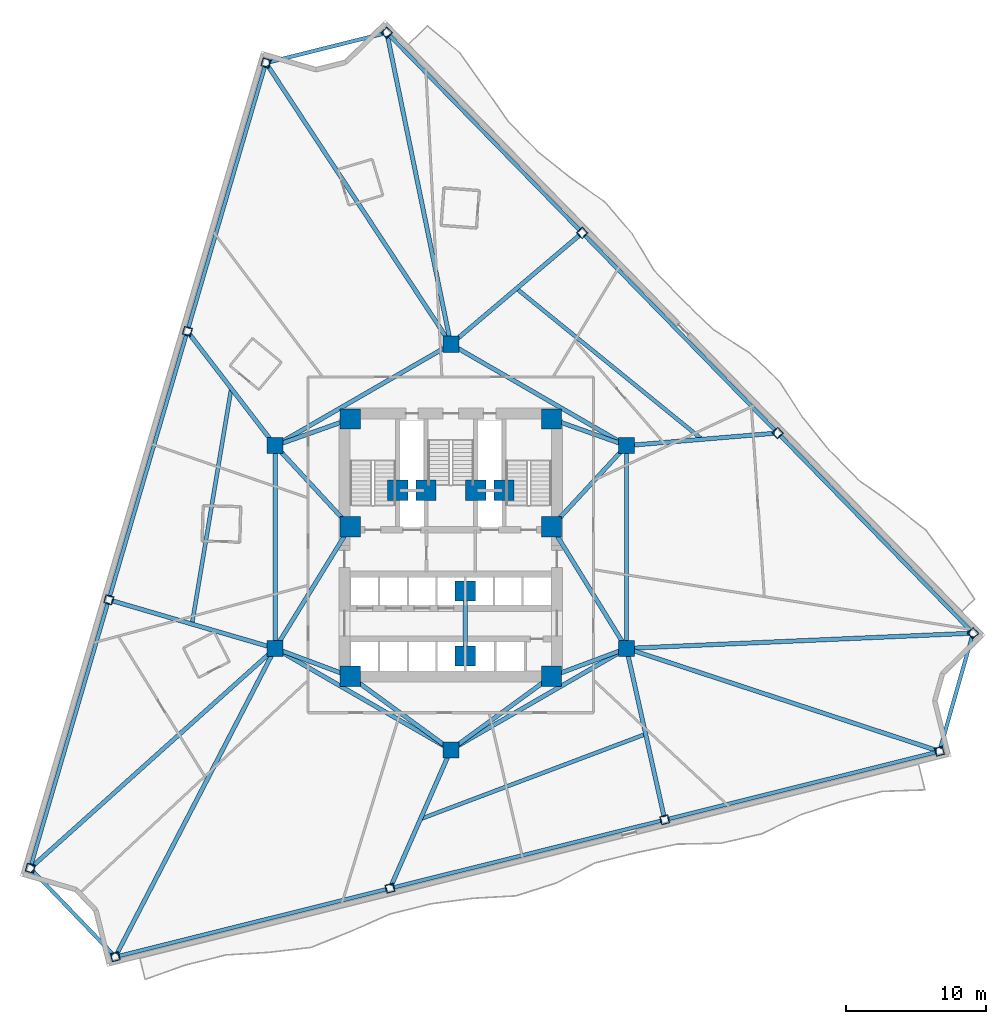
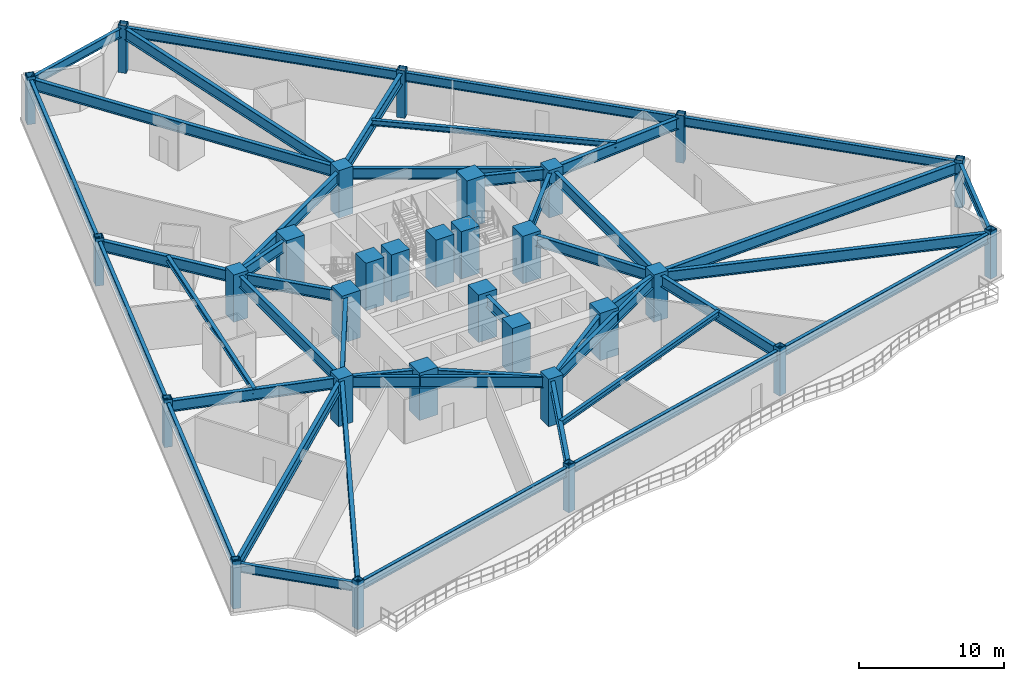
# One storey, part 1 of 9: 44 beams, 30 columns.
"""IFC4 building model written with IfcOpenShell, lengths in metres."""

from ifc_helpers import new_model, si_unit, direction, frame, origin, origin_2d, place, context, subcontext, project, spatial, rectangle, hollow_rectangle, i_section, extrude, material, material_profile, profile_set, type_object, element, save


model = new_model("IFC4")

# Units and contexts
model_context = context("Model", 3, precision=1e-05, world=origin(), true_north=direction((0.0, 1.0)))
body_context = subcontext(model_context, "Body", "Model", "MODEL_VIEW")
ifc_project = project(units=[si_unit("LENGTHUNIT", "METRE"), si_unit("AREAUNIT", "SQUARE_METRE"), si_unit("VOLUMEUNIT", "CUBIC_METRE"), si_unit("PLANEANGLEUNIT", "RADIAN"), si_unit("MASSUNIT", "GRAM", prefix="KILO")], contexts=[model_context])

# Site, building, storey
site_placement = place(None, origin())
site = spatial("IfcSite", under=ifc_project, at=site_placement, CompositionType="ELEMENT")
building_placement = place(site_placement, origin())
building = spatial("IfcBuilding", under=site, at=building_placement, Name="Apsidion Concourse Tower", CompositionType="ELEMENT")
storey_placement = place(building_placement, frame((0.0, 0.0, 111.0)))
storey = spatial("IfcBuildingStorey", under=building, at=storey_placement, Name="L25", CompositionType="ELEMENT", Elevation=111.0)

# Columns
ifc_material_1 = material(Name="Structural steel ASTM A572 Grade 50", Category="steel")
ifc_material_profile_1 = material_profile(ifc_material_1, hollow_rectangle(XDim=0.60009765625, YDim=0.60009765625, WallThickness=0.0400390625, at=origin_2d()), Name="BOX600X600X40")
ifc_profile_set_1 = profile_set([ifc_material_profile_1], Name="Structural steel ASTM A572 Grade 50")
column_type_1 = type_object("IfcColumnType", Name="COL-BOX-600", PredefinedType="COLUMN", material=ifc_profile_set_1)
for number, where, z_axis, x_axis, name in (
    (1, (-13.221435546875, 34.61669921875, 0.0), (0.0, 0.0, 1.0), (0.28083422227, 0.959756291775, 0.0), "L25 Rotated Perimeter Column PC01"),
    (2, (-18.839111328125, 15.422119140625, 0.0), (0.0, 0.0, 1.0), (0.28083422227, 0.959756291775, 0.0), "L25 Rotated Perimeter Column PC02"),
    (3, (-24.45703125, -3.772705078125, 0.0), (0.0, 0.0, 1.0), (0.28083422227, 0.959756291775, 0.0), "L25 Rotated Perimeter Column PC03"),
    (4, (-30.074951171875, -22.96728515625, 0.0), (0.0, 0.0, 1.0), (0.28083422227, 0.959756291775, 0.0), "L25 Rotated Perimeter Column PC04"),
    (5, (-23.9912109375, -29.302001953125, 0.0), (0.0, 0.0, 1.0), (0.970295726276, 0.2419218956, 0.0), "L25 Rotated Perimeter Column PC05"),
    (6, (-4.34765625, -24.404296875, 0.0), (0.0, 0.0, 1.0), (0.970295726276, 0.2419218956, 0.0), "L25 Rotated Perimeter Column PC06"),
    (7, (15.2958984375, -19.506591796875, 0.0), (0.0, 0.0, 1.0), (0.970295726276, 0.2419218956, 0.0), "L25 Rotated Perimeter Column PC07"),
    (8, (34.939208984375, -14.60888671875, 0.0), (0.0, 0.0, 1.0), (0.970295726276, 0.2419218956, 0.0), "L25 Rotated Perimeter Column PC08"),
    (9, (37.337158203125, -6.15966796875, 0.0), (0.0, 0.0, 1.0), (-0.698540186739, 0.715570826341, 0.0), "L25 Rotated Perimeter Column PC09"),
    (10, (23.365478515625, 8.15087890625, 0.0), (0.0, 0.0, 1.0), (-0.698540186739, 0.715570826341, 0.0), "L25 Rotated Perimeter Column PC10"),
    (11, (9.393798828125, 22.461181640625, 0.0), (0.0, 0.0, 1.0), (-0.698540186739, 0.715570826341, 0.0), "L25 Rotated Perimeter Column PC11"),
    (12, (-4.57763671875, 36.771728515625, 0.0), (0.0, 0.0, 1.0), (-0.698540186739, 0.715570826341, 0.0), "L25 Rotated Perimeter Column PC12"),
):
    element("IfcColumn", number, at=place(storey_placement, frame(where, z_axis=z_axis, x_axis=x_axis)), inside=storey, type_object=column_type_1, Name=name, PredefinedType="COLUMN", context=body_context, shape_type="SweptSolid", body=[
        extrude(hollow_rectangle(XDim=0.60009765625, YDim=0.60009765625, WallThickness=0.0400390625, at=origin_2d()), origin(), (0.0, 0.0, 1.0), 4.0),
    ])
ifc_material_2 = material(Name="Concrete C50/60", Category="concrete")
ifc_material_profile_2 = material_profile(ifc_material_2, rectangle(XDim=1.14990234375, YDim=1.14990234375, at=origin_2d()), Name="RC 1150x1150")
ifc_profile_set_2 = profile_set([ifc_material_profile_2], Name="Concrete C50/60")
column_type_2 = type_object("IfcColumnType", Name="COL-RC-1150", PredefinedType="COLUMN", material=ifc_profile_set_2)
for number, where, z_axis, x_axis, name in (
    (13, (-12.56005859375, -7.25, 0.0), (0.0, 0.0, 1.0), (1.0, 0.0, 0.0), "L25 Interior Spine Column IC1"),
    (14, (12.56005859375, -7.25, 0.0), (0.0, 0.0, 1.0), (1.0, 0.0, 0.0), "L25 Interior Spine Column IC2"),
    (15, (12.56005859375, 7.25, 0.0), (0.0, 0.0, 1.0), (1.0, 0.0, 0.0), "L25 Interior Spine Column IC3"),
    (16, (0.0, 14.5, 0.0), (0.0, 0.0, 1.0), (1.0, 0.0, 0.0), "L25 Interior Spine Column IC4"),
    (17, (-12.56005859375, 7.25, 0.0), (0.0, 0.0, 1.0), (1.0, 0.0, 0.0), "L25 Interior Spine Column IC5"),
    (18, (0.0, -14.5, 0.0), (0.0, 0.0, 1.0), (1.0, 0.0, 0.0), "L25 Interior Spine Column IC6"),
):
    element("IfcColumn", number, at=place(storey_placement, frame(where, z_axis=z_axis, x_axis=x_axis)), inside=storey, type_object=column_type_2, Name=name, PredefinedType="COLUMN", context=body_context, shape_type="SweptSolid", body=[
        extrude(rectangle(XDim=1.14990234375, YDim=1.14990234375, at=origin_2d()), origin(), (0.0, 0.0, 1.0), 4.0),
    ])
ifc_material_3 = material(Name="Concrete C60/75", Category="concrete")
ifc_material_profile_3 = material_profile(ifc_material_3, rectangle(XDim=1.449951171875, YDim=1.449951171875, at=origin_2d()), Name="RC 1450x1450")
ifc_profile_set_3 = profile_set([ifc_material_profile_3], Name="Concrete C60/75")
column_type_3 = type_object("IfcColumnType", Name="COL-RC-1450", PredefinedType="COLUMN", material=ifc_profile_set_3)
for number, where, z_axis, x_axis, name in (
    (19, (-7.199951171875, -9.25, 0.0), (0.0, 0.0, 1.0), (1.0, 0.0, 0.0), "L25 Core Super-Column SC1"),
    (20, (7.199951171875, -9.25, 0.0), (0.0, 0.0, 1.0), (1.0, 0.0, 0.0), "L25 Core Super-Column SC2"),
    (21, (7.199951171875, 1.449951171875, 0.0), (0.0, 0.0, 1.0), (1.0, 0.0, 0.0), "L25 Core Super-Column SC3"),
    (22, (7.199951171875, 9.14990234375, 0.0), (0.0, 0.0, 1.0), (1.0, 0.0, 0.0), "L25 Core Super-Column SC4"),
    (23, (-7.199951171875, 9.14990234375, 0.0), (0.0, 0.0, 1.0), (1.0, 0.0, 0.0), "L25 Core Super-Column SC5"),
    (24, (-7.199951171875, 1.449951171875, 0.0), (0.0, 0.0, 1.0), (1.0, 0.0, 0.0), "L25 Core Super-Column SC6"),
    (25, (-3.800048828125, 4.050048828125, 0.0), (0.0, 0.0, 1.0), (1.0, 0.0, 0.0), "L25 Core Super-Column CC1"),
    (26, (3.800048828125, 4.050048828125, 0.0), (0.0, 0.0, 1.0), (1.0, 0.0, 0.0), "L25 Core Super-Column CC2"),
    (27, (-1.77490234375, 4.050048828125, 0.0), (0.0, 0.0, 1.0), (1.0, 0.0, 0.0), "L25 Core Super-Column CC3"),
    (28, (1.77490234375, 4.050048828125, 0.0), (0.0, 0.0, 1.0), (1.0, 0.0, 0.0), "L25 Core Super-Column CC4"),
    (29, (1.02490234375, -3.14990234375, 0.0), (0.0, 0.0, 1.0), (1.0, 0.0, 0.0), "L25 Core Super-Column CC5"),
    (30, (1.02490234375, -7.800048828125, 0.0), (0.0, 0.0, 1.0), (1.0, 0.0, 0.0), "L25 Core Super-Column CC6"),
):
    element("IfcColumn", number, at=place(storey_placement, frame(where, z_axis=z_axis, x_axis=x_axis)), inside=storey, type_object=column_type_3, Name=name, PredefinedType="COLUMN", context=body_context, shape_type="SweptSolid", body=[
        extrude(rectangle(XDim=1.449951171875, YDim=1.449951171875, at=origin_2d()), origin(), (0.0, 0.0, 1.0), 4.0),
    ])

# Beams
ifc_material_4 = material(Name="Structural steel ASTM A992 Grade 50", Category="steel")
ifc_material_profile_4 = material_profile(ifc_material_4, i_section(OverallWidth=0.280029296875, OverallDepth=0.462890625, WebThickness=0.0107421875, FlangeThickness=0.017333984375, at=origin_2d()), Name="W18X76")
ifc_profile_set_4 = profile_set([ifc_material_profile_4], Name="Structural steel ASTM A992 Grade 50")
beam_type_1 = type_object("IfcBeamType", Name="BM-FL-W18M", PredefinedType="BEAM", material=ifc_profile_set_4)
beam_1_placement = place(storey_placement, frame((-15.69970703125, 11.3359375, 3.5185546875), z_axis=(-0.164452299767, -0.986385036941, 0.0), x_axis=(0.986385036941, -0.164452299767, 0.0)))
element("IfcBeam", 31, at=beam_1_placement, inside=storey, type_object=beam_type_1, Name="L25 Secondary Floor Beam SEC-F1", PredefinedType="BEAM", context=body_context, shape_type="SweptSolid", body=[
    extrude(i_section(OverallWidth=0.280029296875, OverallDepth=0.462890625, WebThickness=0.0107421875, FlangeThickness=0.017333984375, at=origin_2d()), origin(), (0.0, 0.0, 1.0), 17.079833984375),
])
beam_2_placement = place(storey_placement, frame((-2.173828125, -19.4521484375, 3.5185546875), z_axis=(0.935648218448, 0.352934004193, 0.0), x_axis=(-0.352934004193, 0.935648218448, 0.0)))
element("IfcBeam", 32, at=beam_2_placement, inside=storey, type_object=beam_type_1, Name="L25 Secondary Floor Beam SEC-F2", PredefinedType="BEAM", context=body_context, shape_type="SweptSolid", body=[
    extrude(i_section(OverallWidth=0.280029296875, OverallDepth=0.462890625, WebThickness=0.0107421875, FlangeThickness=0.017333984375, at=origin_2d()), origin(), (0.0, 0.0, 1.0), 17.209228515625),
])
beam_3_placement = place(storey_placement, frame((17.962646484375, 7.700439453125, 3.5185546875), z_axis=(-0.776058076577, 0.630661447831, 0.0), x_axis=(-0.630661447831, -0.776058076577, 0.0)))
element("IfcBeam", 33, at=beam_3_placement, inside=storey, type_object=beam_type_1, Name="L25 Secondary Floor Beam SEC-F3", PredefinedType="BEAM", context=body_context, shape_type="SweptSolid", body=[
    extrude(i_section(OverallWidth=0.280029296875, OverallDepth=0.462890625, WebThickness=0.0107421875, FlangeThickness=0.017333984375, at=origin_2d()), origin(), (0.0, 0.0, 1.0), 17.093505859375),
])
ifc_material_profile_5 = material_profile(ifc_material_4, i_section(OverallWidth=0.31005859375, OverallDepth=0.931884765625, WebThickness=0.02099609375, FlangeThickness=0.034423828125, at=origin_2d()), Name="W36X210")
ifc_profile_set_5 = profile_set([ifc_material_profile_5], Name="Structural steel ASTM A992 Grade 50")
beam_type_2 = type_object("IfcBeamType", Name="BM-G-W36", PredefinedType="USERDEFINED", material=ifc_profile_set_5)
beam_4_placement = place(storey_placement, frame((-12.185302734375, -7.389892578125, 3.283935546875), z_axis=(0.936913021145, -0.349562570664, 0.0), x_axis=(0.349562570664, 0.936913021145, 0.0)))
element("IfcBeam", 34, at=beam_4_placement, inside=storey, type_object=beam_type_2, Name="L25 Core Coupling Girder IC1-SC1", ObjectType="GIRDER", PredefinedType="USERDEFINED", context=body_context, shape_type="SweptSolid", body=[
    extrude(i_section(OverallWidth=0.31005859375, OverallDepth=0.931884765625, WebThickness=0.02099609375, FlangeThickness=0.034423828125, at=origin_2d()), origin(), (0.0, 0.0, 1.0), 4.921142578125),
])
beam_5_placement = place(storey_placement, frame((-12.35009765625, -6.909423828125, 3.283935546875), z_axis=(0.524524009763, 0.851395656074, 0.0), x_axis=(-0.851395656074, 0.524524009763, 0.0)))
element("IfcBeam", 35, at=beam_5_placement, inside=storey, type_object=beam_type_2, Name="L25 Core Coupling Girder IC1-SC6", ObjectType="GIRDER", PredefinedType="USERDEFINED", context=body_context, shape_type="SweptSolid", body=[
    extrude(i_section(OverallWidth=0.31005859375, OverallDepth=0.931884765625, WebThickness=0.02099609375, FlangeThickness=0.034423828125, at=origin_2d()), origin(), (0.0, 0.0, 1.0), 9.41845703125),
])
beam_6_placement = place(storey_placement, frame((12.185302734375, -7.389892578125, 3.283935546875), z_axis=(-0.936913021145, -0.349562570664, 0.0), x_axis=(0.349562570664, -0.936913021145, 0.0)))
element("IfcBeam", 36, at=beam_6_placement, inside=storey, type_object=beam_type_2, Name="L25 Core Coupling Girder IC2-SC2", ObjectType="GIRDER", PredefinedType="USERDEFINED", context=body_context, shape_type="SweptSolid", body=[
    extrude(i_section(OverallWidth=0.31005859375, OverallDepth=0.931884765625, WebThickness=0.02099609375, FlangeThickness=0.034423828125, at=origin_2d()), origin(), (0.0, 0.0, 1.0), 4.921142578125),
])
beam_7_placement = place(storey_placement, frame((12.35009765625, -6.909423828125, 3.283935546875), z_axis=(-0.524524009763, 0.851395656074, 0.0), x_axis=(-0.851395656074, -0.524524009763, 0.0)))
element("IfcBeam", 37, at=beam_7_placement, inside=storey, type_object=beam_type_2, Name="L25 Core Coupling Girder IC2-SC3", ObjectType="GIRDER", PredefinedType="USERDEFINED", context=body_context, shape_type="SweptSolid", body=[
    extrude(i_section(OverallWidth=0.31005859375, OverallDepth=0.931884765625, WebThickness=0.02099609375, FlangeThickness=0.034423828125, at=origin_2d()), origin(), (0.0, 0.0, 1.0), 9.41845703125),
])
beam_8_placement = place(storey_placement, frame((12.28857421875, 6.956298828125, 3.283935546875), z_axis=(-0.678712876106, -0.73440372535, 0.0), x_axis=(0.73440372535, -0.678712876106, 0.0)))
element("IfcBeam", 38, at=beam_8_placement, inside=storey, type_object=beam_type_2, Name="L25 Core Coupling Girder IC3-SC3", ObjectType="GIRDER", PredefinedType="USERDEFINED", context=body_context, shape_type="SweptSolid", body=[
    extrude(i_section(OverallWidth=0.31005859375, OverallDepth=0.931884765625, WebThickness=0.02099609375, FlangeThickness=0.034423828125, at=origin_2d()), origin(), (0.0, 0.0, 1.0), 7.097412109375),
])
beam_9_placement = place(storey_placement, frame((12.18310546875, 7.383544921875, 3.283935546875), z_axis=(-0.942533844539, 0.334110688094, 0.0), x_axis=(-0.334110688094, -0.942533844539, 0.0)))
element("IfcBeam", 39, at=beam_9_placement, inside=storey, type_object=beam_type_2, Name="L25 Core Coupling Girder IC3-SC4", ObjectType="GIRDER", PredefinedType="USERDEFINED", context=body_context, shape_type="SweptSolid", body=[
    extrude(i_section(OverallWidth=0.31005859375, OverallDepth=0.931884765625, WebThickness=0.02099609375, FlangeThickness=0.034423828125, at=origin_2d()), origin(), (0.0, 0.0, 1.0), 4.886962890625),
])
beam_10_placement = place(storey_placement, frame((-12.28857421875, 6.956298828125, 3.283935546875), z_axis=(0.678712876106, -0.73440372535, 0.0), x_axis=(0.73440372535, 0.678712876106, 0.0)))
element("IfcBeam", 40, at=beam_10_placement, inside=storey, type_object=beam_type_2, Name="L25 Core Coupling Girder IC5-SC6", ObjectType="GIRDER", PredefinedType="USERDEFINED", context=body_context, shape_type="SweptSolid", body=[
    extrude(i_section(OverallWidth=0.31005859375, OverallDepth=0.931884765625, WebThickness=0.02099609375, FlangeThickness=0.034423828125, at=origin_2d()), origin(), (0.0, 0.0, 1.0), 7.097412109375),
])
beam_11_placement = place(storey_placement, frame((-12.18310546875, 7.383544921875, 3.283935546875), z_axis=(0.942533844539, 0.334110688094, 0.0), x_axis=(-0.334110688094, 0.942533844539, 0.0)))
element("IfcBeam", 41, at=beam_11_placement, inside=storey, type_object=beam_type_2, Name="L25 Core Coupling Girder IC5-SC5", ObjectType="GIRDER", PredefinedType="USERDEFINED", context=body_context, shape_type="SweptSolid", body=[
    extrude(i_section(OverallWidth=0.31005859375, OverallDepth=0.931884765625, WebThickness=0.02099609375, FlangeThickness=0.034423828125, at=origin_2d()), origin(), (0.0, 0.0, 1.0), 4.886962890625),
])
for number, where, z_axis, x_axis, name in (
    (42, (-0.3232421875, -14.264404296875, 3.283935546875), (-0.807993498909, 0.589191399905, 0.0), (-0.589191399905, -0.807993498909, 0.0), "L25 Core Coupling Girder IC6-SC1"),
    (43, (0.3232421875, -14.264404296875, 3.283935546875), (0.807993498909, 0.589191399905, 0.0), (-0.589191399905, 0.807993498909, 0.0), "L25 Core Coupling Girder IC6-SC2"),
):
    element("IfcBeam", number, at=place(storey_placement, frame(where, z_axis=z_axis, x_axis=x_axis)), inside=storey, type_object=beam_type_2, Name=name, ObjectType="GIRDER", PredefinedType="USERDEFINED", context=body_context, shape_type="SweptSolid", body=[
        extrude(i_section(OverallWidth=0.31005859375, OverallDepth=0.931884765625, WebThickness=0.02099609375, FlangeThickness=0.034423828125, at=origin_2d()), origin(), (0.0, 0.0, 1.0), 8.11083984375),
    ])
beam_12_placement = place(storey_placement, frame((-12.56005859375, -6.85009765625, 3.283935546875), z_axis=(0.0, 1.0, 0.0), x_axis=(-1.0, 0.0, 0.0)))
element("IfcBeam", 44, at=beam_12_placement, inside=storey, type_object=beam_type_2, Name="L25 Core Coupling Girder IC1-IC5", ObjectType="GIRDER", PredefinedType="USERDEFINED", context=body_context, shape_type="SweptSolid", body=[
    extrude(i_section(OverallWidth=0.31005859375, OverallDepth=0.931884765625, WebThickness=0.02099609375, FlangeThickness=0.034423828125, at=origin_2d()), origin(), (0.0, 0.0, 1.0), 13.7001953125),
])
for number, where, z_axis, x_axis, name in (
    (45, (-12.213623046875, 7.449951171875, 3.283935546875), (0.866070471464, 0.499921932364, 0.0), (-0.499921932364, 0.866070471464, 0.0), "L25 Core Coupling Girder IC5-IC4"),
    (46, (0.346435546875, 14.300048828125, 3.283935546875), (0.866070471464, -0.499921932364, 0.0), (0.499921932364, 0.866070471464, 0.0), "L25 Core Coupling Girder IC4-IC3"),
):
    element("IfcBeam", number, at=place(storey_placement, frame(where, z_axis=z_axis, x_axis=x_axis)), inside=storey, type_object=beam_type_2, Name=name, ObjectType="GIRDER", PredefinedType="USERDEFINED", context=body_context, shape_type="SweptSolid", body=[
        extrude(i_section(OverallWidth=0.31005859375, OverallDepth=0.931884765625, WebThickness=0.02099609375, FlangeThickness=0.034423828125, at=origin_2d()), origin(), (0.0, 0.0, 1.0), 13.702392578125),
    ])
beam_13_placement = place(storey_placement, frame((12.56005859375, 6.85009765625, 3.283935546875), z_axis=(0.0, -1.0, 0.0), x_axis=(1.0, 0.0, 0.0)))
element("IfcBeam", 47, at=beam_13_placement, inside=storey, type_object=beam_type_2, Name="L25 Core Coupling Girder IC3-IC2", ObjectType="GIRDER", PredefinedType="USERDEFINED", context=body_context, shape_type="SweptSolid", body=[
    extrude(i_section(OverallWidth=0.31005859375, OverallDepth=0.931884765625, WebThickness=0.02099609375, FlangeThickness=0.034423828125, at=origin_2d()), origin(), (0.0, 0.0, 1.0), 13.7001953125),
])
for number, where, z_axis, x_axis, name in (
    (48, (12.213623046875, -7.449951171875, 3.283935546875), (-0.866070471464, -0.499921932364, 0.0), (0.499921932364, -0.866070471464, 0.0), "L25 Core Coupling Girder IC2-IC6"),
    (49, (-0.346435546875, -14.300048828125, 3.283935546875), (-0.866070471464, 0.499921932364, 0.0), (-0.499921932364, -0.866070471464, 0.0), "L25 Core Coupling Girder IC6-IC1"),
):
    element("IfcBeam", number, at=place(storey_placement, frame(where, z_axis=z_axis, x_axis=x_axis)), inside=storey, type_object=beam_type_2, Name=name, ObjectType="GIRDER", PredefinedType="USERDEFINED", context=body_context, shape_type="SweptSolid", body=[
        extrude(i_section(OverallWidth=0.31005859375, OverallDepth=0.931884765625, WebThickness=0.02099609375, FlangeThickness=0.034423828125, at=origin_2d()), origin(), (0.0, 0.0, 1.0), 13.702392578125),
    ])
beam_14_placement = place(storey_placement, frame((1.02490234375, -3.550048828125, 3.283935546875), z_axis=(0.0, -1.0, 0.0), x_axis=(1.0, 0.0, 0.0)))
element("IfcBeam", 50, at=beam_14_placement, inside=storey, type_object=beam_type_2, Name="L25 Core Coupling Girder CC5-CC6", ObjectType="GIRDER", PredefinedType="USERDEFINED", context=body_context, shape_type="SweptSolid", body=[
    extrude(i_section(OverallWidth=0.31005859375, OverallDepth=0.931884765625, WebThickness=0.02099609375, FlangeThickness=0.034423828125, at=origin_2d()), origin(), (0.0, 0.0, 1.0), 3.849853515625),
])
beam_15_placement = place(storey_placement, frame((-0.120849609375, 14.683837890625, 3.283935546875), z_axis=(-0.549231276492, 0.835670392513, 0.0), x_axis=(-0.835670392513, -0.549231276492, 0.0)))
element("IfcBeam", 51, at=beam_15_placement, inside=storey, type_object=beam_type_2, Name="L25 Radial Floor Girder RAD-01", ObjectType="GIRDER", PredefinedType="USERDEFINED", context=body_context, shape_type="SweptSolid", body=[
    extrude(i_section(OverallWidth=0.31005859375, OverallDepth=0.931884765625, WebThickness=0.02099609375, FlangeThickness=0.034423828125, at=origin_2d()), origin(), (0.0, 0.0, 1.0), 23.632568359375),
])
beam_16_placement = place(storey_placement, frame((-12.694091796875, 7.42431640625, 3.283935546875), z_axis=(-0.609271770486, 0.792961480583, 0.0), x_axis=(-0.792961480583, -0.609271770486, 0.0)))
element("IfcBeam", 52, at=beam_16_placement, inside=storey, type_object=beam_type_2, Name="L25 Radial Floor Girder RAD-02", ObjectType="GIRDER", PredefinedType="USERDEFINED", context=body_context, shape_type="SweptSolid", body=[
    extrude(i_section(OverallWidth=0.31005859375, OverallDepth=0.931884765625, WebThickness=0.02099609375, FlangeThickness=0.034423828125, at=origin_2d()), origin(), (0.0, 0.0, 1.0), 9.865966796875),
])
beam_17_placement = place(storey_placement, frame((-12.771240234375, -7.188232421875, 3.283935546875), z_axis=(-0.959842483231, 0.28053949345, 0.0), x_axis=(-0.28053949345, -0.959842483231, 0.0)))
element("IfcBeam", 53, at=beam_17_placement, inside=storey, type_object=beam_type_2, Name="L25 Radial Floor Girder RAD-03", ObjectType="GIRDER", PredefinedType="USERDEFINED", context=body_context, shape_type="SweptSolid", body=[
    extrude(i_section(OverallWidth=0.31005859375, OverallDepth=0.931884765625, WebThickness=0.02099609375, FlangeThickness=0.034423828125, at=origin_2d()), origin(), (0.0, 0.0, 1.0), 11.95458984375),
])
beam_18_placement = place(storey_placement, frame((-12.7236328125, -7.39697265625, 3.283935546875), z_axis=(-0.744271119318, -0.667877609259, 0.0), x_axis=(0.667877609259, -0.744271119318, 0.0)))
element("IfcBeam", 54, at=beam_18_placement, inside=storey, type_object=beam_type_2, Name="L25 Radial Floor Girder RAD-04", ObjectType="GIRDER", PredefinedType="USERDEFINED", context=body_context, shape_type="SweptSolid", body=[
    extrude(i_section(OverallWidth=0.31005859375, OverallDepth=0.931884765625, WebThickness=0.02099609375, FlangeThickness=0.034423828125, at=origin_2d()), origin(), (0.0, 0.0, 1.0), 23.093017578125),
])
beam_19_placement = place(storey_placement, frame((-12.6611328125, -7.4453125, 3.283935546875), z_axis=(-0.460218148247, -0.88780586618, 0.0), x_axis=(0.88780586618, -0.460218148247, 0.0)))
element("IfcBeam", 55, at=beam_19_placement, inside=storey, type_object=beam_type_2, Name="L25 Radial Floor Girder RAD-05", ObjectType="GIRDER", PredefinedType="USERDEFINED", context=body_context, shape_type="SweptSolid", body=[
    extrude(i_section(OverallWidth=0.31005859375, OverallDepth=0.931884765625, WebThickness=0.02099609375, FlangeThickness=0.034423828125, at=origin_2d()), origin(), (0.0, 0.0, 1.0), 24.398681640625),
])
beam_20_placement = place(storey_placement, frame((-0.08837890625, -14.701416015625, 3.283935546875), z_axis=(-0.401951572059, -0.915660927265, 0.0), x_axis=(0.915660927265, -0.401951572059, 0.0)))
element("IfcBeam", 56, at=beam_20_placement, inside=storey, type_object=beam_type_2, Name="L25 Radial Floor Girder RAD-06", ObjectType="GIRDER", PredefinedType="USERDEFINED", context=body_context, shape_type="SweptSolid", body=[
    extrude(i_section(OverallWidth=0.31005859375, OverallDepth=0.931884765625, WebThickness=0.02099609375, FlangeThickness=0.034423828125, at=origin_2d()), origin(), (0.0, 0.0, 1.0), 10.376708984375),
])
beam_21_placement = place(storey_placement, frame((12.60791015625, -7.464599609375, 3.283935546875), z_axis=(0.217841210103, -0.975984224863, 0.0), x_axis=(0.975984224863, 0.217841210103, 0.0)))
element("IfcBeam", 57, at=beam_21_placement, inside=storey, type_object=beam_type_2, Name="L25 Radial Floor Girder RAD-07", ObjectType="GIRDER", PredefinedType="USERDEFINED", context=body_context, shape_type="SweptSolid", body=[
    extrude(i_section(OverallWidth=0.31005859375, OverallDepth=0.931884765625, WebThickness=0.02099609375, FlangeThickness=0.034423828125, at=origin_2d()), origin(), (0.0, 0.0, 1.0), 12.118408203125),
])
beam_22_placement = place(storey_placement, frame((12.76904296875, -7.318603515625, 3.283935546875), z_axis=(0.949956513511, -0.312382173687, 0.0), x_axis=(0.312382173687, 0.949956513511, 0.0)))
element("IfcBeam", 58, at=beam_22_placement, inside=storey, type_object=beam_type_2, Name="L25 Radial Floor Girder RAD-08", ObjectType="GIRDER", PredefinedType="USERDEFINED", context=body_context, shape_type="SweptSolid", body=[
    extrude(i_section(OverallWidth=0.31005859375, OverallDepth=0.931884765625, WebThickness=0.02099609375, FlangeThickness=0.034423828125, at=origin_2d()), origin(), (0.0, 0.0, 1.0), 23.1181640625),
])
beam_23_placement = place(storey_placement, frame((12.77978515625, -7.240234375, 3.283935546875), z_axis=(0.999033044111, 0.043965631729, 0.0), x_axis=(-0.043965631729, 0.999033044111, 0.0)))
element("IfcBeam", 59, at=beam_23_placement, inside=storey, type_object=beam_type_2, Name="L25 Radial Floor Girder RAD-09", ObjectType="GIRDER", PredefinedType="USERDEFINED", context=body_context, shape_type="SweptSolid", body=[
    extrude(i_section(OverallWidth=0.31005859375, OverallDepth=0.931884765625, WebThickness=0.02099609375, FlangeThickness=0.034423828125, at=origin_2d()), origin(), (0.0, 0.0, 1.0), 24.36083984375),
])
beam_24_placement = place(storey_placement, frame((12.779296875, 7.268310546875, 3.283935546875), z_axis=(0.996543006218, 0.083078497563, 0.0), x_axis=(-0.083078497563, 0.996543006218, 0.0)))
element("IfcBeam", 60, at=beam_24_placement, inside=storey, type_object=beam_type_2, Name="L25 Radial Floor Girder RAD-10", ObjectType="GIRDER", PredefinedType="USERDEFINED", context=body_context, shape_type="SweptSolid", body=[
    extrude(i_section(OverallWidth=0.31005859375, OverallDepth=0.931884765625, WebThickness=0.02099609375, FlangeThickness=0.034423828125, at=origin_2d()), origin(), (0.0, 0.0, 1.0), 10.40283203125),
])
beam_25_placement = place(storey_placement, frame((0.167724609375, 14.64208984375, 3.283935546875), z_axis=(0.762877552184, 0.646542991899, 0.0), x_axis=(-0.646542991899, 0.762877552184, 0.0)))
element("IfcBeam", 61, at=beam_25_placement, inside=storey, type_object=beam_type_2, Name="L25 Radial Floor Girder RAD-11", ObjectType="GIRDER", PredefinedType="USERDEFINED", context=body_context, shape_type="SweptSolid", body=[
    extrude(i_section(OverallWidth=0.31005859375, OverallDepth=0.931884765625, WebThickness=0.02099609375, FlangeThickness=0.034423828125, at=origin_2d()), origin(), (0.0, 0.0, 1.0), 11.8740234375),
])
beam_26_placement = place(storey_placement, frame((-0.044189453125, 14.715576171875, 3.283935546875), z_axis=(-0.201337476768, 0.979521934644, 0.0), x_axis=(-0.979521934644, -0.201337476768, 0.0)))
element("IfcBeam", 62, at=beam_26_placement, inside=storey, type_object=beam_type_2, Name="L25 Radial Floor Girder RAD-12", ObjectType="GIRDER", PredefinedType="USERDEFINED", context=body_context, shape_type="SweptSolid", body=[
    extrude(i_section(OverallWidth=0.31005859375, OverallDepth=0.931884765625, WebThickness=0.02099609375, FlangeThickness=0.034423828125, at=origin_2d()), origin(), (0.0, 0.0, 1.0), 22.297119140625),
])
ifc_material_profile_6 = material_profile(ifc_material_4, i_section(OverallWidth=0.26806640625, OverallDepth=0.77001953125, WebThickness=0.015625, FlangeThickness=0.025390625, at=origin_2d()), Name="W30X132")
ifc_profile_set_6 = profile_set([ifc_material_profile_6], Name="Structural steel ASTM A992 Grade 50")
beam_type_3 = type_object("IfcBeamType", Name="BM-SP-W30", PredefinedType="SPANDREL", material=ifc_profile_set_6)
beam_27_placement = place(storey_placement, frame((-13.283203125, 34.405517578125, 3.364990234375), z_axis=(-0.280887536845, -0.959740689793, 0.0), x_axis=(0.959740689793, -0.280887536845, 0.0)))
element("IfcBeam", 63, at=beam_27_placement, inside=storey, type_object=beam_type_3, Name="L25 Perimeter Spandrel Girder SP-01", PredefinedType="SPANDREL", context=body_context, shape_type="SweptSolid", body=[
    extrude(i_section(OverallWidth=0.26806640625, OverallDepth=0.77001953125, WebThickness=0.015625, FlangeThickness=0.025390625, at=origin_2d()), origin(), (0.0, 0.0, 1.0), 19.559814453125),
])
beam_28_placement = place(storey_placement, frame((-18.90087890625, 15.2109375, 3.364990234375), z_axis=(-0.28089903368, -0.959737324937, 0.0), x_axis=(0.959737324937, -0.28089903368, 0.0)))
element("IfcBeam", 64, at=beam_28_placement, inside=storey, type_object=beam_type_3, Name="L25 Perimeter Spandrel Girder SP-02", PredefinedType="SPANDREL", context=body_context, shape_type="SweptSolid", body=[
    extrude(i_section(OverallWidth=0.26806640625, OverallDepth=0.77001953125, WebThickness=0.015625, FlangeThickness=0.025390625, at=origin_2d()), origin(), (0.0, 0.0, 1.0), 19.56005859375),
])
beam_29_placement = place(storey_placement, frame((-24.518798828125, -3.98388671875, 3.364990234375), z_axis=(-0.280902398632, -0.959736340066, 0.0), x_axis=(0.959736340066, -0.280902398632, 0.0)))
element("IfcBeam", 65, at=beam_29_placement, inside=storey, type_object=beam_type_3, Name="L25 Perimeter Spandrel Girder SP-03", PredefinedType="SPANDREL", context=body_context, shape_type="SweptSolid", body=[
    extrude(i_section(OverallWidth=0.26806640625, OverallDepth=0.77001953125, WebThickness=0.015625, FlangeThickness=0.025390625, at=origin_2d()), origin(), (0.0, 0.0, 1.0), 19.559814453125),
])
beam_30_placement = place(storey_placement, frame((-29.922607421875, -23.1259765625, 3.364990234375), z_axis=(0.692682269789, -0.721242866946, 0.0), x_axis=(0.721242866946, 0.692682269789, 0.0)))
element("IfcBeam", 66, at=beam_30_placement, inside=storey, type_object=beam_type_3, Name="L25 Perimeter Spandrel Girder SP-04", PredefinedType="SPANDREL", context=body_context, shape_type="SweptSolid", body=[
    extrude(i_section(OverallWidth=0.26806640625, OverallDepth=0.77001953125, WebThickness=0.015625, FlangeThickness=0.025390625, at=origin_2d()), origin(), (0.0, 0.0, 1.0), 8.343017578125),
])
beam_31_placement = place(storey_placement, frame((-23.777587890625, -29.248779296875, 3.364990234375), z_axis=(0.970295310837, 0.24192356183, 0.0), x_axis=(-0.24192356183, 0.970295310837, 0.0)))
element("IfcBeam", 67, at=beam_31_placement, inside=storey, type_object=beam_type_3, Name="L25 Perimeter Spandrel Girder SP-05", PredefinedType="SPANDREL", context=body_context, shape_type="SweptSolid", body=[
    extrude(i_section(OverallWidth=0.26806640625, OverallDepth=0.77001953125, WebThickness=0.015625, FlangeThickness=0.025390625, at=origin_2d()), origin(), (0.0, 0.0, 1.0), 19.804931640625),
])
beam_32_placement = place(storey_placement, frame((-4.134033203125, -24.35107421875, 3.364990234375), z_axis=(0.970294589343, 0.241926455544, 0.0), x_axis=(-0.241926455544, 0.970294589343, 0.0)))
element("IfcBeam", 68, at=beam_32_placement, inside=storey, type_object=beam_type_3, Name="L25 Perimeter Spandrel Girder SP-06", PredefinedType="SPANDREL", context=body_context, shape_type="SweptSolid", body=[
    extrude(i_section(OverallWidth=0.26806640625, OverallDepth=0.77001953125, WebThickness=0.015625, FlangeThickness=0.025390625, at=origin_2d()), origin(), (0.0, 0.0, 1.0), 19.8046875),
])
beam_33_placement = place(storey_placement, frame((15.50927734375, -19.453369140625, 3.364990234375), z_axis=(0.970295310837, 0.24192356183, 0.0), x_axis=(-0.24192356183, 0.970295310837, 0.0)))
element("IfcBeam", 69, at=beam_33_placement, inside=storey, type_object=beam_type_3, Name="L25 Perimeter Spandrel Girder SP-07", PredefinedType="SPANDREL", context=body_context, shape_type="SweptSolid", body=[
    extrude(i_section(OverallWidth=0.26806640625, OverallDepth=0.77001953125, WebThickness=0.015625, FlangeThickness=0.025390625, at=origin_2d()), origin(), (0.0, 0.0, 1.0), 19.804931640625),
])
beam_34_placement = place(storey_placement, frame((34.99951171875, -14.397216796875, 3.364990234375), z_axis=(0.272993072399, 0.962015999047, 0.0), x_axis=(-0.962015999047, 0.272993072399, 0.0)))
element("IfcBeam", 70, at=beam_34_placement, inside=storey, type_object=beam_type_3, Name="L25 Perimeter Spandrel Girder SP-08", PredefinedType="SPANDREL", context=body_context, shape_type="SweptSolid", body=[
    extrude(i_section(OverallWidth=0.26806640625, OverallDepth=0.77001953125, WebThickness=0.015625, FlangeThickness=0.025390625, at=origin_2d()), origin(), (0.0, 0.0, 1.0), 8.343017578125),
])
beam_35_placement = place(storey_placement, frame((37.183349609375, -6.002197265625, 3.364990234375), z_axis=(-0.698580853564, 0.715531125133, 0.0), x_axis=(-0.715531125133, -0.698580853564, 0.0)))
element("IfcBeam", 71, at=beam_35_placement, inside=storey, type_object=beam_type_3, Name="L25 Perimeter Spandrel Girder SP-09", PredefinedType="SPANDREL", context=body_context, shape_type="SweptSolid", body=[
    extrude(i_section(OverallWidth=0.26806640625, OverallDepth=0.77001953125, WebThickness=0.015625, FlangeThickness=0.025390625, at=origin_2d()), origin(), (0.0, 0.0, 1.0), 19.559814453125),
])
beam_36_placement = place(storey_placement, frame((23.2119140625, 8.30810546875, 3.364990234375), z_axis=(-0.698581004946, 0.715530977337, 0.0), x_axis=(-0.715530977337, -0.698581004946, 0.0)))
element("IfcBeam", 72, at=beam_36_placement, inside=storey, type_object=beam_type_3, Name="L25 Perimeter Spandrel Girder SP-10", PredefinedType="SPANDREL", context=body_context, shape_type="SweptSolid", body=[
    extrude(i_section(OverallWidth=0.26806640625, OverallDepth=0.77001953125, WebThickness=0.015625, FlangeThickness=0.025390625, at=origin_2d()), origin(), (0.0, 0.0, 1.0), 19.56005859375),
])
beam_37_placement = place(storey_placement, frame((9.240234375, 22.61865234375, 3.364990234375), z_axis=(-0.698587243968, 0.715524886056, 0.0), x_axis=(-0.715524886056, -0.698587243968, 0.0)))
element("IfcBeam", 73, at=beam_37_placement, inside=storey, type_object=beam_type_3, Name="L25 Perimeter Spandrel Girder SP-11", PredefinedType="SPANDREL", context=body_context, shape_type="SweptSolid", body=[
    extrude(i_section(OverallWidth=0.26806640625, OverallDepth=0.77001953125, WebThickness=0.015625, FlangeThickness=0.025390625, at=origin_2d()), origin(), (0.0, 0.0, 1.0), 19.559814453125),
])
beam_38_placement = place(storey_placement, frame((-4.791259765625, 36.718505859375, 3.364990234375), z_axis=(-0.970296632691, -0.241918260137, 0.0), x_axis=(0.241918260137, -0.970296632691, 0.0)))
element("IfcBeam", 74, at=beam_38_placement, inside=storey, type_object=beam_type_3, Name="L25 Perimeter Spandrel Girder SP-12", PredefinedType="SPANDREL", context=body_context, shape_type="SweptSolid", body=[
    extrude(i_section(OverallWidth=0.26806640625, OverallDepth=0.77001953125, WebThickness=0.015625, FlangeThickness=0.025390625, at=origin_2d()), origin(), (0.0, 0.0, 1.0), 8.468017578125),
])

save(model, "model.ifc")
